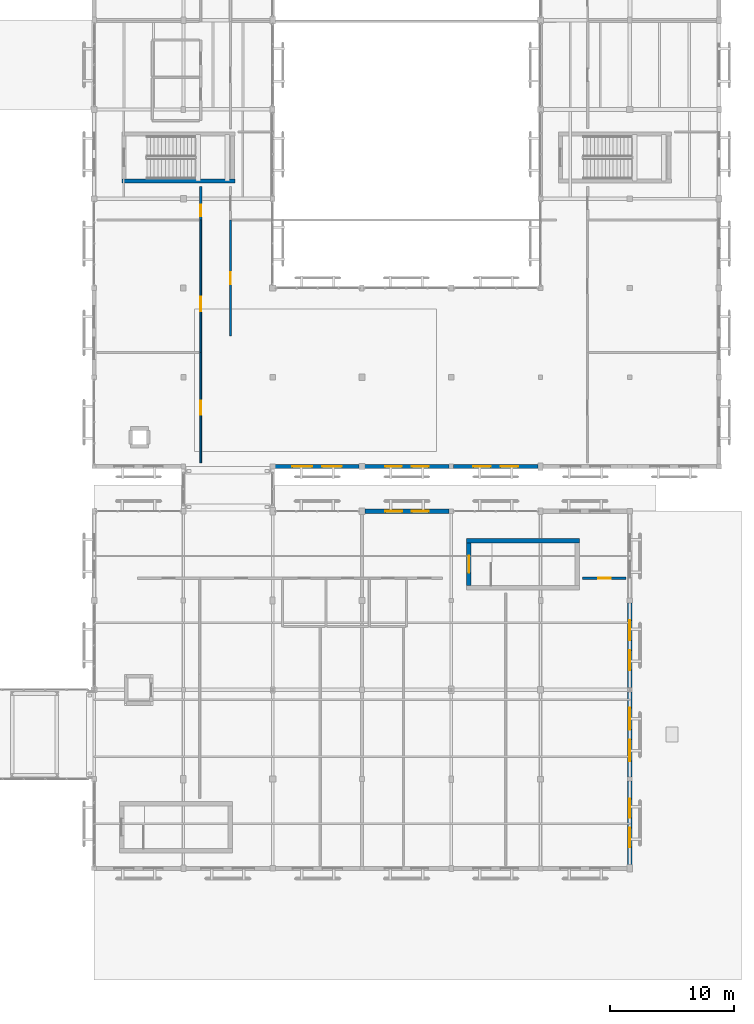
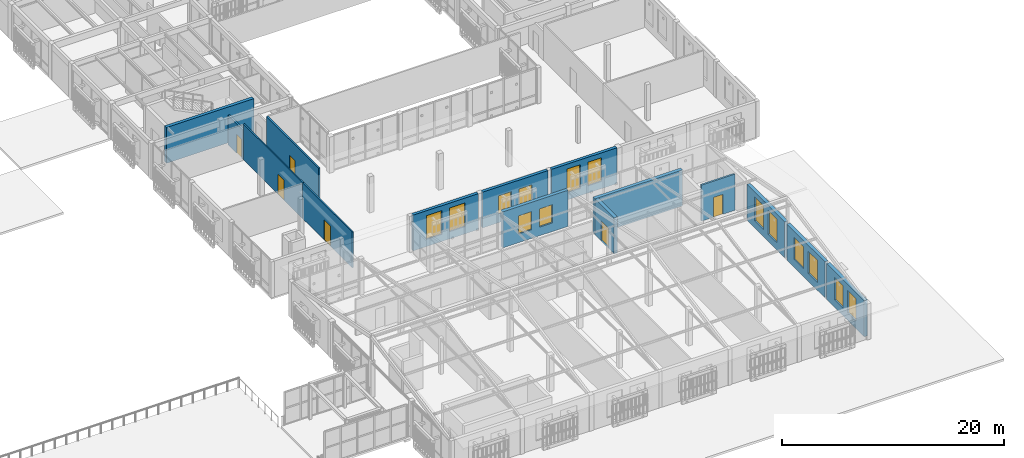
# One storey, part 87 of 112: 15 walls, 14 windows, 6 doors, 20 openings.
"""IFC4 building model written with IfcOpenShell, lengths in metres."""

from ifc_helpers import new_model, si_unit, direction, frame, frame_2d, origin, place, context, subcontext, project, spatial, rectangle, extrude, material, layer, layer_set, type_object, element, fill, save


model = new_model("IFC4")

# Units and contexts
model_context = context("Model", 3, precision=1e-05, world=origin(), true_north=direction((0.0, 1.0)))
body_context = subcontext(model_context, "Body", "Model", "MODEL_VIEW")
ifc_project = project(units=[si_unit("LENGTHUNIT", "METRE"), si_unit("AREAUNIT", "SQUARE_METRE"), si_unit("VOLUMEUNIT", "CUBIC_METRE"), si_unit("PLANEANGLEUNIT", "RADIAN"), si_unit("MASSUNIT", "GRAM", prefix="KILO")], contexts=[model_context])

# Site, building, storey
site_placement = place(None, origin())
site = spatial("IfcSite", under=ifc_project, at=site_placement, CompositionType="ELEMENT")
building_placement = place(site_placement, origin())
building = spatial("IfcBuilding", under=site, at=building_placement, Name="Mazaris Harbour Polytechnic", CompositionType="ELEMENT")
storey_placement = place(building_placement, frame((0.0, 0.0, 13.800048828125)))
storey = spatial("IfcBuildingStorey", under=building, at=storey_placement, Name="L03", CompositionType="ELEMENT", Elevation=13.800048828125)

# Wall, opening, door
ifc_material_1 = material(Name="Terracotta Block and Plaster", Category="masonry")
ifc_layer_1 = layer(ifc_material_1, 0.179931640625, Name="Terracotta Block and Plaster")
ifc_layer_set_1 = layer_set([ifc_layer_1], Name="Terracotta Block and Plaster")
wall_type_1 = type_object("IfcWallType", Name="Corridor Fire Partition 180", PredefinedType="PARTITIONING", material=ifc_layer_set_1)
wall_1_placement = place(storey_placement, frame((161.804931640625, 37.800048828125, 0.0), z_axis=(0.0, 0.0, 1.0), x_axis=(1.0, 0.0, 0.0)))
wall_1 = element("IfcWall", 1, at=wall_1_placement, inside=storey, type_object=wall_type_1, Name="V2 L03 Partition 173", PredefinedType="PARTITIONING", context=body_context, shape_type="SweptSolid", body=[
    extrude(rectangle(XDim=3.494140625, YDim=0.179931640625, at=frame_2d((1.7470703125, 0.0))), origin(), (0.0, 0.0, 1.0), 3.9599609375),
])
opening_1_placement = place(wall_1_placement, frame((1.251953125, 0.0, 0.0)))
opening_1 = element("IfcOpeningElement", 2, at=opening_1_placement, cuts=wall_1, Name="Opening ID-08R", PredefinedType="OPENING", context=body_context, shape_type="SweptSolid", body=[
    extrude(rectangle(XDim=0.989990234375, YDim=2.179931640625, at=frame_2d((0.4951171875, 1.08984375))), frame((0.0, 0.099853515625, 0.0), z_axis=(0.0, -1.0, 0.0), x_axis=(1.0, 0.0, 0.0)), (0.0, 0.0, 1.0), 0.199951171875),
])
ifc_material_2 = material(Name="Solid Oak Timber", Category="wood")
door_type_1 = type_object("IfcDoorType", Name="Seminar Room Door RH 990x2180", OperationType="SINGLE_SWING_RIGHT", PredefinedType="DOOR", material=ifc_material_2)
door_1_placement = place(opening_1_placement, origin())
door_1 = element("IfcDoor", 3, at=door_1_placement, inside=storey, type_object=door_type_1, Name="ID-0080", OperationType="SINGLE_SWING_RIGHT", OverallHeight=2.179931640625, OverallWidth=0.989990234375, PredefinedType="DOOR", context=body_context, shape_type="SweptSolid", body=[
    extrude(rectangle(XDim=0.989990234375, YDim=2.179931640625, at=frame_2d((0.4951171875, 1.08984375))), frame((0.0, 0.02490234375, 0.0), z_axis=(0.0, -1.0, 0.0), x_axis=(1.0, 0.0, 0.0)), (0.0, 0.0, 1.0), 0.050048828125),
])
fill(opening_1, door_1)

wall_2_placement = place(storey_placement, frame((131.0, 66.68505859375, 0.0), z_axis=(0.0, 0.0, 1.0), x_axis=(0.0, 1.0, 0.0)))
wall_2 = element("IfcWall", 4, at=wall_2_placement, inside=storey, type_object=wall_type_1, Name="V5 L03 Partition 637", PredefinedType="PARTITIONING", context=body_context, shape_type="SweptSolid", body=[
    extrude(rectangle(XDim=2.7099609375, YDim=0.179931640625, at=frame_2d((1.35498046875, 0.0))), origin(), (0.0, 0.0, 1.0), 3.2548828125),
])
opening_2_placement = place(wall_2_placement, frame((0.322265625, 0.0, 0.0)))
opening_2 = element("IfcOpeningElement", 5, at=opening_2_placement, cuts=wall_2, Name="Opening ID-07L", PredefinedType="OPENING", context=body_context, shape_type="SweptSolid", body=[
    extrude(rectangle(XDim=0.919921875, YDim=2.10009765625, at=frame_2d((0.4599609375, 1.050048828125))), frame((0.0, 0.099853515625, 0.0), z_axis=(0.0, -1.0, 0.0), x_axis=(1.0, 0.0, 0.0)), (0.0, 0.0, 1.0), 0.199951171875),
])
ifc_material_3 = material(Name="Moisture-Resistant Laminate Timber", Category="wood")
door_type_2 = type_object("IfcDoorType", Name="Accessible Toilet Door LH 920x2100", OperationType="SINGLE_SWING_LEFT", PredefinedType="DOOR", material=ifc_material_3)
door_2_placement = place(opening_2_placement, origin())
door_2 = element("IfcDoor", 6, at=door_2_placement, inside=storey, type_object=door_type_2, Name="ID-0309", OperationType="SINGLE_SWING_LEFT", OverallHeight=2.10009765625, OverallWidth=0.919921875, PredefinedType="DOOR", context=body_context, shape_type="SweptSolid", body=[
    extrude(rectangle(XDim=0.919921875, YDim=2.10009765625, at=frame_2d((0.4599609375, 1.050048828125))), frame((0.0, 0.02490234375, 0.0), z_axis=(0.0, -1.0, 0.0), x_axis=(1.0, 0.0, 0.0)), (0.0, 0.0, 1.0), 0.050048828125),
])
fill(opening_2, door_2)

wall_3_placement = place(storey_placement, frame((133.39990234375, 57.320068359375, 0.0), z_axis=(0.0, 0.0, 1.0), x_axis=(0.0, 1.0, 0.0)))
wall_3 = element("IfcWall", 7, at=wall_3_placement, inside=storey, type_object=wall_type_1, Name="V5 L03 Partition 642", PredefinedType="PARTITIONING", context=body_context, shape_type="SweptSolid", body=[
    extrude(rectangle(XDim=9.35986328125, YDim=0.179931640625, at=frame_2d((4.679931640625, 0.0))), origin(), (0.0, 0.0, 1.0), 3.93505859375),
])
opening_3_placement = place(wall_3_placement, frame((4.18994140625, 0.0, 0.0)))
opening_3 = element("IfcOpeningElement", 8, at=opening_3_placement, cuts=wall_3, Name="Opening ID-08L", PredefinedType="OPENING", context=body_context, shape_type="SweptSolid", body=[
    extrude(rectangle(XDim=0.97998046875, YDim=2.179931640625, at=frame_2d((0.489990234375, 1.08984375))), frame((0.0, 0.099853515625, 0.0), z_axis=(0.0, -1.0, 0.0), x_axis=(1.0, 0.0, 0.0)), (0.0, 0.0, 1.0), 0.199951171875),
])
ifc_material_4 = material(Name="Solid Oak Timber", Category="wood")
door_type_3 = type_object("IfcDoorType", Name="Seminar Room Door LH 980x2180", OperationType="SINGLE_SWING_LEFT", PredefinedType="DOOR", material=ifc_material_4)
door_3_placement = place(opening_3_placement, origin())
door_3 = element("IfcDoor", 9, at=door_3_placement, inside=storey, type_object=door_type_3, Name="ID-0312", OperationType="SINGLE_SWING_LEFT", OverallHeight=2.179931640625, OverallWidth=0.97998046875, PredefinedType="DOOR", context=body_context, shape_type="SweptSolid", body=[
    extrude(rectangle(XDim=0.97998046875, YDim=2.179931640625, at=frame_2d((0.489990234375, 1.08984375))), frame((0.0, 0.02490234375, 0.0), z_axis=(0.0, -1.0, 0.0), x_axis=(1.0, 0.0, 0.0)), (0.0, 0.0, 1.0), 0.050048828125),
])
fill(opening_3, door_3)

# Wall, openings, windows
ifc_material_5 = material(Name="Algerian Buff Limestone and Mineral Wool", Category="masonry")
ifc_layer_2 = layer(ifc_material_5, 0.31005859375, Name="Algerian Buff Limestone and Mineral Wool")
ifc_layer_set_2 = layer_set([ifc_layer_2], Name="Algerian Buff Limestone and Mineral Wool")
wall_type_2 = type_object("IfcWallType", Name="Limestone Studio Wall 310", PredefinedType="STANDARD", material=ifc_layer_set_2)
wall_4_placement = place(storey_placement, frame((143.778076171875, 46.800048828125, 0.0), z_axis=(0.0, 0.0, 1.0), x_axis=(-1.0, 0.0, 0.0)))
wall_4 = element("IfcWall", 10, at=wall_4_placement, inside=storey, type_object=wall_type_2, Name="V5 L03 Exterior Wall 356", PredefinedType="STANDARD", context=body_context, shape_type="SweptSolid", body=[
    extrude(rectangle(XDim=6.776123046875, YDim=0.31005859375, at=frame_2d((3.38818359375, 0.0))), origin(), (0.0, 0.0, 1.0), 3.93505859375),
])
opening_4_placement = place(wall_4_placement, frame((1.387939453125, 0.0, 0.800048828125)))
opening_4 = element("IfcOpeningElement", 11, at=opening_4_placement, cuts=wall_4, Name="Opening WN-02", PredefinedType="OPENING", context=body_context, shape_type="SweptSolid", body=[
    extrude(rectangle(XDim=1.60009765625, YDim=2.60009765625, at=frame_2d((0.800048828125, 1.300048828125))), frame((0.0, 0.1650390625, 0.0), z_axis=(0.0, -1.0, 0.0), x_axis=(1.0, 0.0, 0.0)), (0.0, 0.0, 1.0), 0.330078125),
])
opening_5_placement = place(wall_4_placement, frame((3.7880859375, 0.0, 0.800048828125)))
opening_5 = element("IfcOpeningElement", 12, at=opening_5_placement, cuts=wall_4, Name="Opening WN-02", PredefinedType="OPENING", context=body_context, shape_type="SweptSolid", body=[
    extrude(rectangle(XDim=1.60009765625, YDim=2.60009765625, at=frame_2d((0.800048828125, 1.300048828125))), frame((0.0, 0.1650390625, 0.0), z_axis=(0.0, -1.0, 0.0), x_axis=(1.0, 0.0, 0.0)), (0.0, 0.0, 1.0), 0.330078125),
])
ifc_material_6 = material(Name="Thermally Broken Bronze Aluminium and Low-E Glass", Category="aluminium")
window_type_1 = type_object("IfcWindowType", Name="Neoclassical Tall Window 1600x2600", PartitioningType="DOUBLE_PANEL_VERTICAL", PredefinedType="WINDOW", material=ifc_material_6)
window_1_placement = place(opening_4_placement, origin())
window_1 = element("IfcWindow", 13, at=window_1_placement, inside=storey, type_object=window_type_1, Name="WN-0408", OverallHeight=2.60009765625, OverallWidth=1.60009765625, PartitioningType="DOUBLE_PANEL_VERTICAL", PredefinedType="WINDOW", context=body_context, shape_type="SweptSolid", body=[
    extrude(rectangle(XDim=1.60009765625, YDim=2.60009765625, at=frame_2d((0.800048828125, 1.300048828125))), frame((0.0, 0.030029296875, 0.0), z_axis=(0.0, -1.0, 0.0), x_axis=(1.0, 0.0, 0.0)), (0.0, 0.0, 1.0), 0.06005859375),
])
fill(opening_4, window_1)
window_2_placement = place(opening_5_placement, origin())
window_2 = element("IfcWindow", 14, at=window_2_placement, inside=storey, type_object=window_type_1, Name="WN-0409", OverallHeight=2.60009765625, OverallWidth=1.60009765625, PartitioningType="DOUBLE_PANEL_VERTICAL", PredefinedType="WINDOW", context=body_context, shape_type="SweptSolid", body=[
    extrude(rectangle(XDim=1.60009765625, YDim=2.60009765625, at=frame_2d((0.800048828125, 1.300048828125))), frame((0.0, 0.030029296875, 0.0), z_axis=(0.0, -1.0, 0.0), x_axis=(1.0, 0.0, 0.0)), (0.0, 0.0, 1.0), 0.06005859375),
])
fill(opening_5, window_2)

wall_5_placement = place(storey_placement, frame((151.01806640625, 46.800048828125, 0.0), z_axis=(0.0, 0.0, 1.0), x_axis=(-1.0, 0.0, 0.0)))
wall_5 = element("IfcWall", 15, at=wall_5_placement, inside=storey, type_object=wall_type_2, Name="V5 L03 Exterior Wall 357", PredefinedType="STANDARD", context=body_context, shape_type="SweptSolid", body=[
    extrude(rectangle(XDim=6.796142578125, YDim=0.31005859375, at=frame_2d((3.39794921875, 0.0))), origin(), (0.0, 0.0, 1.0), 3.93505859375),
])
opening_6_placement = place(wall_5_placement, frame((1.64794921875, 0.0, 0.949951171875)))
opening_6 = element("IfcOpeningElement", 16, at=opening_6_placement, cuts=wall_5, Name="Opening WN-30", PredefinedType="OPENING", context=body_context, shape_type="SweptSolid", body=[
    extrude(rectangle(XDim=1.35009765625, YDim=2.0, at=frame_2d((0.675048828125, 1.0))), frame((0.0, 0.1650390625, 0.0), z_axis=(0.0, -1.0, 0.0), x_axis=(1.0, 0.0, 0.0)), (0.0, 0.0, 1.0), 0.330078125),
])
opening_7_placement = place(wall_5_placement, frame((3.798095703125, 0.0, 0.949951171875)))
opening_7 = element("IfcOpeningElement", 17, at=opening_7_placement, cuts=wall_5, Name="Opening WN-30", PredefinedType="OPENING", context=body_context, shape_type="SweptSolid", body=[
    extrude(rectangle(XDim=1.35009765625, YDim=2.0, at=frame_2d((0.675048828125, 1.0))), frame((0.0, 0.1650390625, 0.0), z_axis=(0.0, -1.0, 0.0), x_axis=(1.0, 0.0, 0.0)), (0.0, 0.0, 1.0), 0.330078125),
])
ifc_material_7 = material(Name="Thermally Broken Bronze Aluminium and Low-E Glass", Category="aluminium")
window_type_2 = type_object("IfcWindowType", Name="Pavilion Side Window 1350x2000", PartitioningType="DOUBLE_PANEL_VERTICAL", PredefinedType="WINDOW", material=ifc_material_7)
window_3_placement = place(opening_6_placement, origin())
window_3 = element("IfcWindow", 18, at=window_3_placement, inside=storey, type_object=window_type_2, Name="WN-0410", OverallHeight=2.0, OverallWidth=1.35009765625, PartitioningType="DOUBLE_PANEL_VERTICAL", PredefinedType="WINDOW", context=body_context, shape_type="SweptSolid", body=[
    extrude(rectangle(XDim=1.35009765625, YDim=2.0, at=frame_2d((0.675048828125, 1.0))), frame((0.0, 0.030029296875, 0.0), z_axis=(0.0, -1.0, 0.0), x_axis=(1.0, 0.0, 0.0)), (0.0, 0.0, 1.0), 0.06005859375),
])
fill(opening_6, window_3)
window_4_placement = place(opening_7_placement, origin())
window_4 = element("IfcWindow", 19, at=window_4_placement, inside=storey, type_object=window_type_2, Name="WN-0411", OverallHeight=2.0, OverallWidth=1.35009765625, PartitioningType="DOUBLE_PANEL_VERTICAL", PredefinedType="WINDOW", context=body_context, shape_type="SweptSolid", body=[
    extrude(rectangle(XDim=1.35009765625, YDim=2.0, at=frame_2d((0.675048828125, 1.0))), frame((0.0, 0.030029296875, 0.0), z_axis=(0.0, -1.0, 0.0), x_axis=(1.0, 0.0, 0.0)), (0.0, 0.0, 1.0), 0.06005859375),
])
fill(opening_7, window_4)

wall_6_placement = place(storey_placement, frame((158.18798828125, 46.800048828125, 0.0), z_axis=(0.0, 0.0, 1.0), x_axis=(-1.0, 0.0, 0.0)))
wall_6 = element("IfcWall", 20, at=wall_6_placement, inside=storey, type_object=wall_type_2, Name="V5 L03 Exterior Wall 358", PredefinedType="STANDARD", context=body_context, shape_type="SweptSolid", body=[
    extrude(rectangle(XDim=6.805908203125, YDim=0.31005859375, at=frame_2d((3.40283203125, 0.0))), origin(), (0.0, 0.0, 1.0), 3.93505859375),
])
opening_8_placement = place(wall_6_placement, frame((1.60302734375, 0.0, 0.800048828125)))
opening_8 = element("IfcOpeningElement", 21, at=opening_8_placement, cuts=wall_6, Name="Opening WN-01", PredefinedType="OPENING", context=body_context, shape_type="SweptSolid", body=[
    extrude(rectangle(XDim=1.39990234375, YDim=2.60009765625, at=frame_2d((0.699951171875, 1.300048828125))), frame((0.0, 0.1650390625, 0.0), z_axis=(0.0, -1.0, 0.0), x_axis=(1.0, 0.0, 0.0)), (0.0, 0.0, 1.0), 0.330078125),
])
opening_9_placement = place(wall_6_placement, frame((3.802978515625, 0.0, 0.800048828125)))
opening_9 = element("IfcOpeningElement", 22, at=opening_9_placement, cuts=wall_6, Name="Opening WN-01", PredefinedType="OPENING", context=body_context, shape_type="SweptSolid", body=[
    extrude(rectangle(XDim=1.39990234375, YDim=2.60009765625, at=frame_2d((0.699951171875, 1.300048828125))), frame((0.0, 0.1650390625, 0.0), z_axis=(0.0, -1.0, 0.0), x_axis=(1.0, 0.0, 0.0)), (0.0, 0.0, 1.0), 0.330078125),
])
ifc_material_8 = material(Name="Thermally Broken Bronze Aluminium and Low-E Glass", Category="aluminium")
window_type_3 = type_object("IfcWindowType", Name="Neoclassical Tall Window 1400x2600", PartitioningType="DOUBLE_PANEL_VERTICAL", PredefinedType="WINDOW", material=ifc_material_8)
window_5_placement = place(opening_8_placement, origin())
window_5 = element("IfcWindow", 23, at=window_5_placement, inside=storey, type_object=window_type_3, Name="WN-0412", OverallHeight=2.60009765625, OverallWidth=1.39990234375, PartitioningType="DOUBLE_PANEL_VERTICAL", PredefinedType="WINDOW", context=body_context, shape_type="SweptSolid", body=[
    extrude(rectangle(XDim=1.39990234375, YDim=2.60009765625, at=frame_2d((0.699951171875, 1.300048828125))), frame((0.0, 0.030029296875, 0.0), z_axis=(0.0, -1.0, 0.0), x_axis=(1.0, 0.0, 0.0)), (0.0, 0.0, 1.0), 0.06005859375),
])
fill(opening_8, window_5)
window_6_placement = place(opening_9_placement, origin())
window_6 = element("IfcWindow", 24, at=window_6_placement, inside=storey, type_object=window_type_3, Name="WN-0413", OverallHeight=2.60009765625, OverallWidth=1.39990234375, PartitioningType="DOUBLE_PANEL_VERTICAL", PredefinedType="WINDOW", context=body_context, shape_type="SweptSolid", body=[
    extrude(rectangle(XDim=1.39990234375, YDim=2.60009765625, at=frame_2d((0.699951171875, 1.300048828125))), frame((0.0, 0.030029296875, 0.0), z_axis=(0.0, -1.0, 0.0), x_axis=(1.0, 0.0, 0.0)), (0.0, 0.0, 1.0), 0.06005859375),
])
fill(opening_9, window_6)

ifc_material_9 = material(Name="Algerian Buff Limestone and Concrete C30/37", Category="masonry")
ifc_layer_3 = layer(ifc_material_9, 0.344970703125, Name="Algerian Buff Limestone and Concrete C30/37")
ifc_layer_set_3 = layer_set([ifc_layer_3], Name="Algerian Buff Limestone and Concrete C30/37")
wall_type_3 = type_object("IfcWallType", Name="Pavilion Gable Wall 345", PredefinedType="STANDARD", material=ifc_layer_set_3)
wall_7_placement = place(storey_placement, frame((144.241943359375, 43.199951171875, 0.0), z_axis=(0.0, 0.0, 1.0), x_axis=(1.0, 0.0, 0.0)))
wall_7 = element("IfcWall", 25, at=wall_7_placement, inside=storey, type_object=wall_type_3, Name="V2 L03 Exterior Wall 89", PredefinedType="STANDARD", context=body_context, shape_type="SweptSolid", body=[
    extrude(rectangle(XDim=6.776123046875, YDim=0.344970703125, at=frame_2d((3.38818359375, 0.0))), origin(), (0.0, 0.0, 1.0), 3.9599609375),
])
opening_10_placement = place(wall_7_placement, frame((1.637939453125, 0.0, 0.949951171875)))
opening_10 = element("IfcOpeningElement", 26, at=opening_10_placement, cuts=wall_7, Name="Opening WN-30", PredefinedType="OPENING", context=body_context, shape_type="SweptSolid", body=[
    extrude(rectangle(XDim=1.35009765625, YDim=2.0, at=frame_2d((0.675048828125, 1.0))), frame((0.0, 0.182373046875, 0.0), z_axis=(0.0, -1.0, 0.0), x_axis=(1.0, 0.0, 0.0)), (0.0, 0.0, 1.0), 0.364990234375),
])
opening_11_placement = place(wall_7_placement, frame((3.7880859375, 0.0, 0.949951171875)))
opening_11 = element("IfcOpeningElement", 27, at=opening_11_placement, cuts=wall_7, Name="Opening WN-30", PredefinedType="OPENING", context=body_context, shape_type="SweptSolid", body=[
    extrude(rectangle(XDim=1.35009765625, YDim=2.0, at=frame_2d((0.675048828125, 1.0))), frame((0.0, 0.182373046875, 0.0), z_axis=(0.0, -1.0, 0.0), x_axis=(1.0, 0.0, 0.0)), (0.0, 0.0, 1.0), 0.364990234375),
])
window_7_placement = place(opening_10_placement, origin())
window_7 = element("IfcWindow", 28, at=window_7_placement, inside=storey, type_object=window_type_2, Name="WN-0095", OverallHeight=2.0, OverallWidth=1.35009765625, PartitioningType="DOUBLE_PANEL_VERTICAL", PredefinedType="WINDOW", context=body_context, shape_type="SweptSolid", body=[
    extrude(rectangle(XDim=1.35009765625, YDim=2.0, at=frame_2d((0.675048828125, 1.0))), frame((0.0, 0.030029296875, 0.0), z_axis=(0.0, -1.0, 0.0), x_axis=(1.0, 0.0, 0.0)), (0.0, 0.0, 1.0), 0.06005859375),
])
fill(opening_10, window_7)
window_8_placement = place(opening_11_placement, origin())
window_8 = element("IfcWindow", 29, at=window_8_placement, inside=storey, type_object=window_type_2, Name="WN-0096", OverallHeight=2.0, OverallWidth=1.35009765625, PartitioningType="DOUBLE_PANEL_VERTICAL", PredefinedType="WINDOW", context=body_context, shape_type="SweptSolid", body=[
    extrude(rectangle(XDim=1.35009765625, YDim=2.0, at=frame_2d((0.675048828125, 1.0))), frame((0.0, 0.030029296875, 0.0), z_axis=(0.0, -1.0, 0.0), x_axis=(1.0, 0.0, 0.0)), (0.0, 0.0, 1.0), 0.06005859375),
])
fill(opening_11, window_8)

wall_8_placement = place(storey_placement, frame((165.60009765625, 21.43798828125, 0.0), z_axis=(0.0, 0.0, 1.0), x_axis=(0.0, -1.0, 0.0)))
wall_8 = element("IfcWall", 30, at=wall_8_placement, inside=storey, type_object=wall_type_3, Name="V2 L03 Exterior Wall 92", PredefinedType="STANDARD", context=body_context, shape_type="SweptSolid", body=[
    extrude(rectangle(XDim=6.74609375, YDim=0.344970703125, at=frame_2d((3.373046875, 0.0))), origin(), (0.0, 0.0, 1.0), 3.9599609375),
])
opening_12_placement = place(wall_8_placement, frame((1.423095703125, 0.0, 0.85009765625)))
opening_12 = element("IfcOpeningElement", 31, at=opening_12_placement, cuts=wall_8, Name="Opening WN-26", PredefinedType="OPENING", context=body_context, shape_type="SweptSolid", body=[
    extrude(rectangle(XDim=1.550048828125, YDim=2.449951171875, at=frame_2d((0.77490234375, 1.22509765625))), frame((0.0, 0.182373046875, 0.0), z_axis=(0.0, -1.0, 0.0), x_axis=(1.0, 0.0, 0.0)), (0.0, 0.0, 1.0), 0.364990234375),
])
opening_13_placement = place(wall_8_placement, frame((3.77294921875, 0.0, 0.85009765625)))
opening_13 = element("IfcOpeningElement", 32, at=opening_13_placement, cuts=wall_8, Name="Opening WN-26", PredefinedType="OPENING", context=body_context, shape_type="SweptSolid", body=[
    extrude(rectangle(XDim=1.550048828125, YDim=2.449951171875, at=frame_2d((0.77490234375, 1.22509765625))), frame((0.0, 0.182373046875, 0.0), z_axis=(0.0, -1.0, 0.0), x_axis=(1.0, 0.0, 0.0)), (0.0, 0.0, 1.0), 0.364990234375),
])
ifc_material_10 = material(Name="Thermally Broken Bronze Aluminium and Low-E Glass", Category="aluminium")
window_type_4 = type_object("IfcWindowType", Name="Studio Tall Casement 1550x2450", PartitioningType="DOUBLE_PANEL_VERTICAL", PredefinedType="WINDOW", material=ifc_material_10)
window_9_placement = place(opening_12_placement, origin())
window_9 = element("IfcWindow", 33, at=window_9_placement, inside=storey, type_object=window_type_4, Name="WN-0101", OverallHeight=2.449951171875, OverallWidth=1.550048828125, PartitioningType="DOUBLE_PANEL_VERTICAL", PredefinedType="WINDOW", context=body_context, shape_type="SweptSolid", body=[
    extrude(rectangle(XDim=1.550048828125, YDim=2.449951171875, at=frame_2d((0.77490234375, 1.22509765625))), frame((0.0, 0.030029296875, 0.0), z_axis=(0.0, -1.0, 0.0), x_axis=(1.0, 0.0, 0.0)), (0.0, 0.0, 1.0), 0.06005859375),
])
fill(opening_12, window_9)
window_10_placement = place(opening_13_placement, origin())
window_10 = element("IfcWindow", 34, at=window_10_placement, inside=storey, type_object=window_type_4, Name="WN-0102", OverallHeight=2.449951171875, OverallWidth=1.550048828125, PartitioningType="DOUBLE_PANEL_VERTICAL", PredefinedType="WINDOW", context=body_context, shape_type="SweptSolid", body=[
    extrude(rectangle(XDim=1.550048828125, YDim=2.449951171875, at=frame_2d((0.77490234375, 1.22509765625))), frame((0.0, 0.030029296875, 0.0), z_axis=(0.0, -1.0, 0.0), x_axis=(1.0, 0.0, 0.0)), (0.0, 0.0, 1.0), 0.06005859375),
])
fill(opening_13, window_10)

wall_9_placement = place(storey_placement, frame((165.60009765625, 28.617919921875, 0.0), z_axis=(0.0, 0.0, 1.0), x_axis=(0.0, -1.0, 0.0)))
wall_9 = element("IfcWall", 35, at=wall_9_placement, inside=storey, type_object=wall_type_3, Name="V2 L03 Exterior Wall 93", PredefinedType="STANDARD", context=body_context, shape_type="SweptSolid", body=[
    extrude(rectangle(XDim=6.85595703125, YDim=0.344970703125, at=frame_2d((3.427978515625, 0.0))), origin(), (0.0, 0.0, 1.0), 3.9599609375),
])
opening_14_placement = place(wall_9_placement, frame((1.278076171875, 0.0, 0.85009765625)))
opening_14 = element("IfcOpeningElement", 36, at=opening_14_placement, cuts=wall_9, Name="Opening WN-27", PredefinedType="OPENING", context=body_context, shape_type="SweptSolid", body=[
    extrude(rectangle(XDim=1.75, YDim=2.449951171875, at=frame_2d((0.875, 1.22509765625))), frame((0.0, 0.182373046875, 0.0), z_axis=(0.0, -1.0, 0.0), x_axis=(1.0, 0.0, 0.0)), (0.0, 0.0, 1.0), 0.364990234375),
])
opening_15_placement = place(wall_9_placement, frame((3.827880859375, 0.0, 0.85009765625)))
opening_15 = element("IfcOpeningElement", 37, at=opening_15_placement, cuts=wall_9, Name="Opening WN-27", PredefinedType="OPENING", context=body_context, shape_type="SweptSolid", body=[
    extrude(rectangle(XDim=1.75, YDim=2.449951171875, at=frame_2d((0.875, 1.22509765625))), frame((0.0, 0.182373046875, 0.0), z_axis=(0.0, -1.0, 0.0), x_axis=(1.0, 0.0, 0.0)), (0.0, 0.0, 1.0), 0.364990234375),
])
ifc_material_11 = material(Name="Thermally Broken Bronze Aluminium and Low-E Glass", Category="aluminium")
window_type_5 = type_object("IfcWindowType", Name="Studio Tall Casement 1750x2450", PartitioningType="DOUBLE_PANEL_VERTICAL", PredefinedType="WINDOW", material=ifc_material_11)
window_11_placement = place(opening_14_placement, origin())
window_11 = element("IfcWindow", 38, at=window_11_placement, inside=storey, type_object=window_type_5, Name="WN-0103", OverallHeight=2.449951171875, OverallWidth=1.75, PartitioningType="DOUBLE_PANEL_VERTICAL", PredefinedType="WINDOW", context=body_context, shape_type="SweptSolid", body=[
    extrude(rectangle(XDim=1.75, YDim=2.449951171875, at=frame_2d((0.875, 1.22509765625))), frame((0.0, 0.030029296875, 0.0), z_axis=(0.0, -1.0, 0.0), x_axis=(1.0, 0.0, 0.0)), (0.0, 0.0, 1.0), 0.06005859375),
])
fill(opening_14, window_11)
window_12_placement = place(opening_15_placement, origin())
window_12 = element("IfcWindow", 39, at=window_12_placement, inside=storey, type_object=window_type_5, Name="WN-0104", OverallHeight=2.449951171875, OverallWidth=1.75, PartitioningType="DOUBLE_PANEL_VERTICAL", PredefinedType="WINDOW", context=body_context, shape_type="SweptSolid", body=[
    extrude(rectangle(XDim=1.75, YDim=2.449951171875, at=frame_2d((0.875, 1.22509765625))), frame((0.0, 0.030029296875, 0.0), z_axis=(0.0, -1.0, 0.0), x_axis=(1.0, 0.0, 0.0)), (0.0, 0.0, 1.0), 0.06005859375),
])
fill(opening_15, window_12)

wall_10_placement = place(storey_placement, frame((165.60009765625, 35.798095703125, 0.0), z_axis=(0.0, 0.0, 1.0), x_axis=(0.0, -1.0, 0.0)))
wall_10 = element("IfcWall", 40, at=wall_10_placement, inside=storey, type_object=wall_type_3, Name="V2 L03 Exterior Wall 94", PredefinedType="STANDARD", context=body_context, shape_type="SweptSolid", body=[
    extrude(rectangle(XDim=6.816162109375, YDim=0.344970703125, at=frame_2d((3.408203125, 0.0))), origin(), (0.0, 0.0, 1.0), 3.9599609375),
])
opening_16_placement = place(wall_10_placement, frame((1.407958984375, 0.0, 0.800048828125)))
opening_16 = element("IfcOpeningElement", 41, at=opening_16_placement, cuts=wall_10, Name="Opening WN-02", PredefinedType="OPENING", context=body_context, shape_type="SweptSolid", body=[
    extrude(rectangle(XDim=1.60009765625, YDim=2.60009765625, at=frame_2d((0.800048828125, 1.300048828125))), frame((0.0, 0.182373046875, 0.0), z_axis=(0.0, -1.0, 0.0), x_axis=(1.0, 0.0, 0.0)), (0.0, 0.0, 1.0), 0.364990234375),
])
opening_17_placement = place(wall_10_placement, frame((3.80810546875, 0.0, 0.800048828125)))
opening_17 = element("IfcOpeningElement", 42, at=opening_17_placement, cuts=wall_10, Name="Opening WN-02", PredefinedType="OPENING", context=body_context, shape_type="SweptSolid", body=[
    extrude(rectangle(XDim=1.60009765625, YDim=2.60009765625, at=frame_2d((0.800048828125, 1.300048828125))), frame((0.0, 0.182373046875, 0.0), z_axis=(0.0, -1.0, 0.0), x_axis=(1.0, 0.0, 0.0)), (0.0, 0.0, 1.0), 0.364990234375),
])
window_13_placement = place(opening_16_placement, origin())
window_13 = element("IfcWindow", 43, at=window_13_placement, inside=storey, type_object=window_type_1, Name="WN-0105", OverallHeight=2.60009765625, OverallWidth=1.60009765625, PartitioningType="DOUBLE_PANEL_VERTICAL", PredefinedType="WINDOW", context=body_context, shape_type="SweptSolid", body=[
    extrude(rectangle(XDim=1.60009765625, YDim=2.60009765625, at=frame_2d((0.800048828125, 1.300048828125))), frame((0.0, 0.030029296875, 0.0), z_axis=(0.0, -1.0, 0.0), x_axis=(1.0, 0.0, 0.0)), (0.0, 0.0, 1.0), 0.06005859375),
])
fill(opening_16, window_13)
window_14_placement = place(opening_17_placement, origin())
window_14 = element("IfcWindow", 44, at=window_14_placement, inside=storey, type_object=window_type_1, Name="WN-0106", OverallHeight=2.60009765625, OverallWidth=1.60009765625, PartitioningType="DOUBLE_PANEL_VERTICAL", PredefinedType="WINDOW", context=body_context, shape_type="SweptSolid", body=[
    extrude(rectangle(XDim=1.60009765625, YDim=2.60009765625, at=frame_2d((0.800048828125, 1.300048828125))), frame((0.0, 0.030029296875, 0.0), z_axis=(0.0, -1.0, 0.0), x_axis=(1.0, 0.0, 0.0)), (0.0, 0.0, 1.0), 0.06005859375),
])
fill(opening_17, window_14)

# Walls
ifc_material_12 = material(Name="Concrete C40/50", Category="concrete")
ifc_layer_4 = layer(ifc_material_12, 0.324951171875, Name="Concrete C40/50")
ifc_layer_set_4 = layer_set([ifc_layer_4], Name="Concrete C40/50")
wall_type_4 = type_object("IfcWallType", Name="RC Core Shear Wall 325", PredefinedType="SHEAR", material=ifc_layer_set_4)
wall_11_placement = place(storey_placement, frame((124.64990234375, 69.824951171875, 0.0), z_axis=(0.0, 0.0, 1.0), x_axis=(1.0, 0.0, 0.0)))
element("IfcWall", 45, at=wall_11_placement, inside=storey, type_object=wall_type_4, Name="Core ST09 L03 Shear Wall S", PredefinedType="SHEAR", context=body_context, shape_type="SweptSolid", body=[
    extrude(rectangle(XDim=9.10009765625, YDim=0.324951171875, at=frame_2d((4.550048828125, 0.0))), origin(), (0.0, 0.0, 1.0), 3.93505859375),
])
ifc_material_13 = material(Name="Concrete C40/50", Category="concrete")
ifc_layer_5 = layer(ifc_material_13, 0.35009765625, Name="Concrete C40/50")
ifc_layer_set_5 = layer_set([ifc_layer_5], Name="Concrete C40/50")
wall_type_5 = type_object("IfcWallType", Name="RC Core Shear Wall 350", PredefinedType="SHEAR", material=ifc_layer_set_5)
wall_12_placement = place(storey_placement, frame((161.550048828125, 40.824951171875, 0.0), z_axis=(0.0, 0.0, 1.0), x_axis=(-1.0, 0.0, 0.0)))
element("IfcWall", 46, at=wall_12_placement, inside=storey, type_object=wall_type_5, Name="Core ST04 L03 Shear Wall N", PredefinedType="SHEAR", context=body_context, shape_type="SweptSolid", body=[
    extrude(rectangle(XDim=9.10009765625, YDim=0.35009765625, at=frame_2d((4.550048828125, 0.0))), origin(), (0.0, 0.0, 1.0), 3.9599609375),
])

# Wall, opening, door
wall_13_placement = place(storey_placement, frame((152.625, 40.64990234375, 0.0), z_axis=(0.0, 0.0, 1.0), x_axis=(0.0, -1.0, 0.0)))
wall_13 = element("IfcWall", 47, at=wall_13_placement, inside=storey, type_object=wall_type_5, Name="Core ST04 L03 Entrance Shear Wall", PredefinedType="SHEAR", context=body_context, shape_type="SweptSolid", body=[
    extrude(rectangle(XDim=3.449951171875, YDim=0.35009765625, at=frame_2d((1.72509765625, 0.0))), origin(), (0.0, 0.0, 1.0), 3.9599609375),
])
opening_18_placement = place(wall_13_placement, frame((1.034912109375, 0.0, 0.0)))
opening_18 = element("IfcOpeningElement", 48, at=opening_18_placement, cuts=wall_13, Name="Opening SD-01", PredefinedType="OPENING", context=body_context, shape_type="SweptSolid", body=[
    extrude(rectangle(XDim=1.3798828125, YDim=2.199951171875, at=frame_2d((0.68994140625, 1.10009765625))), frame((0.0, 0.18505859375, 0.0), z_axis=(0.0, -1.0, 0.0), x_axis=(1.0, 0.0, 0.0)), (0.0, 0.0, 1.0), 0.3701171875),
])
ifc_material_14 = material(Name="Glulam Timber and Fire Glass", Category="wood")
door_type_4 = type_object("IfcDoorType", Name="Protected Stair Lobby Fire Door 1380x2200", OperationType="DOUBLE_DOOR_SINGLE_SWING", PredefinedType="DOOR", material=ifc_material_14)
door_4_placement = place(opening_18_placement, origin())
door_4 = element("IfcDoor", 49, at=door_4_placement, inside=storey, type_object=door_type_4, Name="SD-018", OperationType="DOUBLE_DOOR_SINGLE_SWING", OverallHeight=2.199951171875, OverallWidth=1.3798828125, PredefinedType="DOOR", context=body_context, shape_type="SweptSolid", body=[
    extrude(rectangle(XDim=1.3798828125, YDim=2.199951171875, at=frame_2d((0.68994140625, 1.10009765625))), frame((0.0, 0.02490234375, 0.0), z_axis=(0.0, -1.0, 0.0), x_axis=(1.0, 0.0, 0.0)), (0.0, 0.0, 1.0), 0.050048828125),
])
fill(opening_18, door_4)

ifc_material_15 = material(Name="Gypsum Board and Mineral Wool")
ifc_layer_6 = layer(ifc_material_15, 0.135009765625, Name="Gypsum Board and Mineral Wool")
ifc_layer_set_6 = layer_set([ifc_layer_6], Name="Gypsum Board and Mineral Wool")
wall_type_6 = type_object("IfcWallType", Name="Studio Partition Wall 135", PredefinedType="PARTITIONING", material=ifc_layer_set_6)
wall_14_placement = place(storey_placement, frame((131.0, 47.10009765625, 0.0), z_axis=(0.0, 0.0, 1.0), x_axis=(0.0, 1.0, 0.0)))
wall_14 = element("IfcWall", 50, at=wall_14_placement, inside=storey, type_object=wall_type_6, Name="V5 L03 Partition 633", PredefinedType="PARTITIONING", context=body_context, shape_type="SweptSolid", body=[
    extrude(rectangle(XDim=8.89990234375, YDim=0.135009765625, at=frame_2d((4.449951171875, 0.0))), origin(), (0.0, 0.0, 1.0), 3.93505859375),
])
opening_19_placement = place(wall_14_placement, frame((3.8701171875, 0.0, 0.0)))
opening_19 = element("IfcOpeningElement", 51, at=opening_19_placement, cuts=wall_14, Name="Opening ID-03R", PredefinedType="OPENING", context=body_context, shape_type="SweptSolid", body=[
    extrude(rectangle(XDim=1.159912109375, YDim=2.199951171875, at=frame_2d((0.580078125, 1.10009765625))), frame((0.0, 0.077392578125, 0.0), z_axis=(0.0, -1.0, 0.0), x_axis=(1.0, 0.0, 0.0)), (0.0, 0.0, 1.0), 0.155029296875),
])
ifc_material_16 = material(Name="Glulam Timber and Acoustic Glass", Category="wood")
door_type_5 = type_object("IfcDoorType", Name="Design Studio Door RH 1160x2200", OperationType="SINGLE_SWING_RIGHT", PredefinedType="DOOR", material=ifc_material_16)
door_5_placement = place(opening_19_placement, origin())
door_5 = element("IfcDoor", 52, at=door_5_placement, inside=storey, type_object=door_type_5, Name="ID-0307", OperationType="SINGLE_SWING_RIGHT", OverallHeight=2.199951171875, OverallWidth=1.159912109375, PredefinedType="DOOR", context=body_context, shape_type="SweptSolid", body=[
    extrude(rectangle(XDim=1.159912109375, YDim=2.199951171875, at=frame_2d((0.580078125, 1.10009765625))), frame((0.0, 0.02490234375, 0.0), z_axis=(0.0, -1.0, 0.0), x_axis=(1.0, 0.0, 0.0)), (0.0, 0.0, 1.0), 0.050048828125),
])
fill(opening_19, door_5)

wall_15_placement = place(storey_placement, frame((131.0, 56.0048828125, 0.0), z_axis=(0.0, 0.0, 1.0), x_axis=(0.0, 1.0, 0.0)))
wall_15 = element("IfcWall", 53, at=wall_15_placement, inside=storey, type_object=wall_type_6, Name="V5 L03 Partition 635", PredefinedType="PARTITIONING", context=body_context, shape_type="SweptSolid", body=[
    extrude(rectangle(XDim=10.675048828125, YDim=0.135009765625, at=frame_2d((5.33740234375, 0.0))), origin(), (0.0, 0.0, 1.0), 3.93505859375),
])
opening_20_placement = place(wall_15_placement, frame((3.333740234375, 0.0, 0.0)))
opening_20 = element("IfcOpeningElement", 54, at=opening_20_placement, cuts=wall_15, Name="Opening ID-03L", PredefinedType="OPENING", context=body_context, shape_type="SweptSolid", body=[
    extrude(rectangle(XDim=1.14990234375, YDim=2.199951171875, at=frame_2d((0.574951171875, 1.10009765625))), frame((0.0, 0.077392578125, 0.0), z_axis=(0.0, -1.0, 0.0), x_axis=(1.0, 0.0, 0.0)), (0.0, 0.0, 1.0), 0.155029296875),
])
ifc_material_17 = material(Name="Glulam Timber and Acoustic Glass", Category="wood")
door_type_6 = type_object("IfcDoorType", Name="Design Studio Door LH 1150x2200", OperationType="SINGLE_SWING_LEFT", PredefinedType="DOOR", material=ifc_material_17)
door_6_placement = place(opening_20_placement, origin())
door_6 = element("IfcDoor", 55, at=door_6_placement, inside=storey, type_object=door_type_6, Name="ID-0308", OperationType="SINGLE_SWING_LEFT", OverallHeight=2.199951171875, OverallWidth=1.14990234375, PredefinedType="DOOR", context=body_context, shape_type="SweptSolid", body=[
    extrude(rectangle(XDim=1.14990234375, YDim=2.199951171875, at=frame_2d((0.574951171875, 1.10009765625))), frame((0.0, 0.02490234375, 0.0), z_axis=(0.0, -1.0, 0.0), x_axis=(1.0, 0.0, 0.0)), (0.0, 0.0, 1.0), 0.050048828125),
])
fill(opening_20, door_6)

save(model, "model.ifc")
